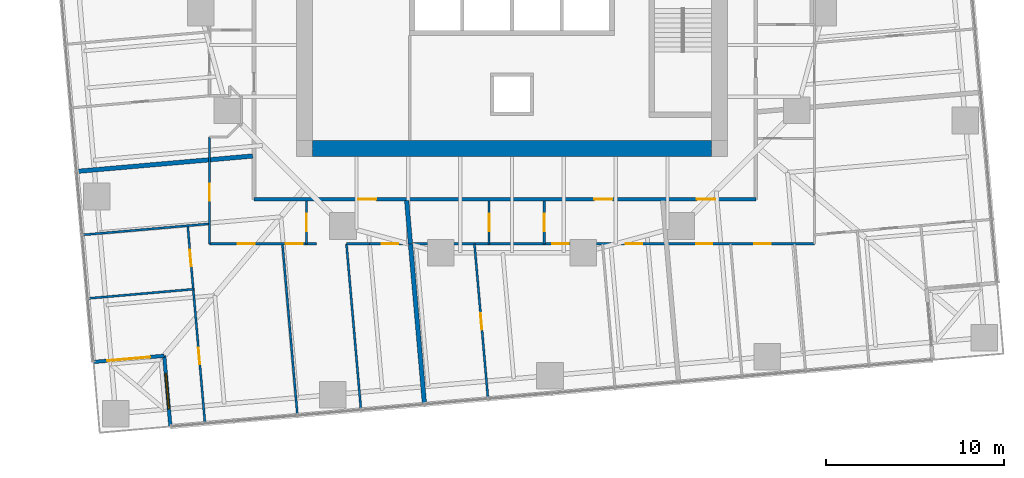
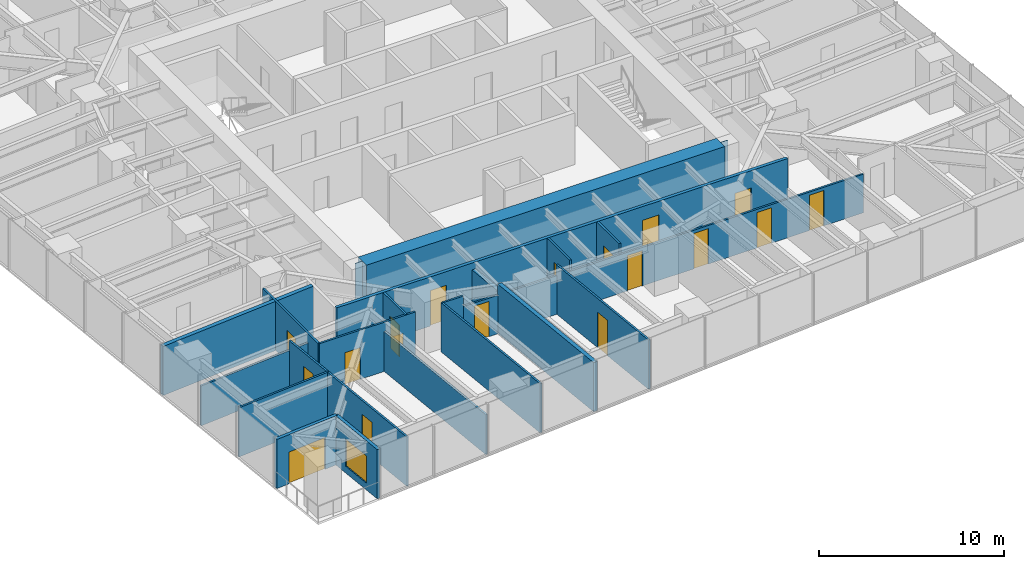
# One storey, part 8 of 14: 20 walls, 18 doors, 1 window, 19 openings.
"""IFC4 building model written with IfcOpenShell, lengths in metres."""

from ifc_helpers import new_model, si_unit, direction, frame, frame_2d, origin, place, context, subcontext, project, spatial, polyline, rectangle, outline, extrude, material, layer, layer_set, type_object, element, fill, save


model = new_model("IFC4")

# Units and contexts
model_context = context("Model", 3, precision=1e-05, world=origin(), true_north=direction((0.0, 1.0)))
body_context = subcontext(model_context, "Body", "Model", "MODEL_VIEW")
ifc_project = project(units=[si_unit("LENGTHUNIT", "METRE"), si_unit("AREAUNIT", "SQUARE_METRE"), si_unit("VOLUMEUNIT", "CUBIC_METRE"), si_unit("PLANEANGLEUNIT", "RADIAN"), si_unit("MASSUNIT", "GRAM", prefix="KILO")], contexts=[model_context])

# Site, building, storey
site_placement = place(None, origin())
site = spatial("IfcSite", under=ifc_project, at=site_placement, CompositionType="ELEMENT")
building_placement = place(site_placement, origin())
building = spatial("IfcBuilding", under=site, at=building_placement, Name="Torsade Residences", CompositionType="ELEMENT")
storey_placement = place(building_placement, frame((0.0, 0.0, 50.60009765625)))
storey = spatial("IfcBuildingStorey", under=building, at=storey_placement, Name="L13", CompositionType="ELEMENT", Elevation=50.60009765625)

# Wall
ifc_material_1 = material(Name="Concrete 80 MPa", Category="concrete")
ifc_layer_1 = layer(ifc_material_1, 0.89990234375)
ifc_layer_set_1 = layer_set([ifc_layer_1], Name="Concrete 80 MPa")
wall_type_1 = type_object("IfcWallType", Name="CORE WALL 900", PredefinedType="SHEAR", material=ifc_layer_set_1)
wall_1_placement = place(storey_placement, frame((51.199951171875, 18.35009765625, 0.0), z_axis=(0.0, 0.0, 1.0), x_axis=(-1.0, 0.0, 0.0)))
element("IfcWall", 1, at=wall_1_placement, inside=storey, type_object=wall_type_1, Name="Core wall S L13", PredefinedType="SHEAR", context=body_context, shape_type="SweptSolid", body=[
    extrude(outline(polyline([(0.0, -0.449951171875), (22.39990234375, -0.449951171875), (22.39990234375, -0.02490234375), (22.849853515625, -0.02490234375), (22.849853515625, 0.02490234375), (22.39990234375, 0.02490234375), (22.39990234375, 0.449951171875), (0.0, 0.449951171875), (0.0, 0.02490234375), (-0.449951171875, 0.02490234375), (-0.449951171875, -0.02490234375), (0.0, -0.02490234375), (0.0, -0.449951171875)])), origin(), (0.0, 0.0, 1.0), 3.39990234375),
])

# Wall, openings, doors
ifc_material_2 = material(Name="Plasterboard on steel stud", Category="steel")
ifc_layer_2 = layer(ifc_material_2, 0.199951171875)
ifc_layer_set_2 = layer_set([ifc_layer_2], Name="Plasterboard on steel stud")
wall_type_2 = type_object("IfcWallType", Name="CORRIDOR WALL 200", PredefinedType="PARTITIONING", material=ifc_layer_set_2)
wall_2_placement = place(storey_placement, frame((25.5, 15.5, 0.0), z_axis=(0.0, 0.0, 1.0), x_axis=(1.0, 0.0, 0.0)))
wall_2 = element("IfcWall", 2, at=wall_2_placement, inside=storey, type_object=wall_type_2, Name="Corridor wall L13", PredefinedType="PARTITIONING", context=body_context, shape_type="SweptSolid", body=[
    extrude(rectangle(XDim=28.199951171875, YDim=0.199951171875, at=frame_2d((14.10009765625, 0.0))), origin(), (0.0, 0.0, 1.0), 3.25),
])
opening_1_placement = place(wall_2_placement, frame((19.123046875, 0.0, 0.0)))
opening_1 = element("IfcOpeningElement", 3, at=opening_1_placement, cuts=wall_2, Name="Opening D01", PredefinedType="OPENING", context=body_context, shape_type="SweptSolid", body=[
    extrude(rectangle(XDim=1.02001953125, YDim=2.340087890625, at=frame_2d((0.510009765625, 1.169921875))), frame((0.0, 0.10986328125, 0.0), z_axis=(0.0, -1.0, 0.0), x_axis=(1.0, 0.0, 0.0)), (0.0, 0.0, 1.0), 0.219970703125),
])
opening_2_placement = place(wall_2_placement, frame((5.85009765625, 0.0, 0.0)))
opening_2 = element("IfcOpeningElement", 4, at=opening_2_placement, cuts=wall_2, Name="Opening D01", PredefinedType="OPENING", context=body_context, shape_type="SweptSolid", body=[
    extrude(rectangle(XDim=1.02001953125, YDim=2.340087890625, at=frame_2d((0.510009765625, 1.169921875))), frame((0.0, 0.10986328125, 0.0), z_axis=(0.0, -1.0, 0.0), x_axis=(1.0, 0.0, 0.0)), (0.0, 0.0, 1.0), 0.219970703125),
])
opening_3_placement = place(wall_2_placement, frame((24.891845703125, 0.0, 0.0)))
opening_3 = element("IfcOpeningElement", 5, at=opening_3_placement, cuts=wall_2, Name="Opening D01L", PredefinedType="OPENING", context=body_context, shape_type="SweptSolid", body=[
    extrude(rectangle(XDim=1.02001953125, YDim=2.10009765625, at=frame_2d((0.510009765625, 1.050048828125))), frame((0.0, 0.10986328125, 0.0), z_axis=(0.0, -1.0, 0.0), x_axis=(1.0, 0.0, 0.0)), (0.0, 0.0, 1.0), 0.219970703125),
])
ifc_material_3 = material(Name="Solid-core timber fire door", Category="wood")
door_type_1 = type_object("IfcDoorType", Name="APARTMENT ENTRY DOOR 1020x2100", OperationType="NOTDEFINED", PredefinedType="DOOR", material=ifc_material_3)
door_1_placement = place(opening_3_placement, origin())
door_1 = element("IfcDoor", 6, at=door_1_placement, inside=storey, type_object=door_type_1, Name="Door Residential corridor to Kitchen and dining", OperationType="SINGLE_SWING_RIGHT", OverallHeight=2.10009765625, OverallWidth=1.02001953125, PredefinedType="DOOR", context=body_context, shape_type="SweptSolid", body=[
    extrude(rectangle(XDim=1.02001953125, YDim=2.10009765625, at=frame_2d((0.510009765625, 1.050048828125))), frame((0.0, 0.02490234375, 0.0), z_axis=(0.0, -1.0, 0.0), x_axis=(1.0, 0.0, 0.0)), (0.0, 0.0, 1.0), 0.050048828125),
])
fill(opening_3, door_1)
ifc_material_4 = material(Name="Solid-core timber fire door", Category="wood")
door_type_2 = type_object("IfcDoorType", Name="APARTMENT ENTRY DOOR 1020x2340", OperationType="NOTDEFINED", PredefinedType="DOOR", material=ifc_material_4)
door_2_placement = place(opening_1_placement, origin())
door_2 = element("IfcDoor", 7, at=door_2_placement, inside=storey, type_object=door_type_2, Name="Door Residential corridor to Kitchen and dining", OperationType="SINGLE_SWING_RIGHT", OverallHeight=2.340087890625, OverallWidth=1.02001953125, PredefinedType="DOOR", context=body_context, shape_type="SweptSolid", body=[
    extrude(rectangle(XDim=1.02001953125, YDim=2.340087890625, at=frame_2d((0.510009765625, 1.169921875))), frame((0.0, 0.02490234375, 0.0), z_axis=(0.0, -1.0, 0.0), x_axis=(1.0, 0.0, 0.0)), (0.0, 0.0, 1.0), 0.050048828125),
])
fill(opening_1, door_2)
door_3_placement = place(opening_2_placement, origin())
door_3 = element("IfcDoor", 8, at=door_3_placement, inside=storey, type_object=door_type_2, Name="Door Residential corridor to Kitchen and dining", OperationType="SINGLE_SWING_RIGHT", OverallHeight=2.340087890625, OverallWidth=1.02001953125, PredefinedType="DOOR", context=body_context, shape_type="SweptSolid", body=[
    extrude(rectangle(XDim=1.02001953125, YDim=2.340087890625, at=frame_2d((0.510009765625, 1.169921875))), frame((0.0, 0.02490234375, 0.0), z_axis=(0.0, -1.0, 0.0), x_axis=(1.0, 0.0, 0.0)), (0.0, 0.0, 1.0), 0.050048828125),
])
fill(opening_2, door_3)

# Wall, opening, door
ifc_material_5 = material(Name="Plasterboard on steel stud", Category="steel")
ifc_layer_3 = layer(ifc_material_5, 0.1201171875)
ifc_layer_set_3 = layer_set([ifc_layer_3], Name="Plasterboard on steel stud")
wall_type_3 = type_object("IfcWallType", Name="PARTITION 120", PredefinedType="PARTITIONING", material=ifc_layer_set_3)
wall_3_placement = place(storey_placement, frame((23.0, 13.0, 0.0), z_axis=(0.0, 0.0, 1.0), x_axis=(0.0, 1.0, 0.0)))
wall_3 = element("IfcWall", 9, at=wall_3_placement, inside=storey, type_object=wall_type_3, Name="Partition L13", PredefinedType="PARTITIONING", context=body_context, shape_type="SweptSolid", body=[
    extrude(rectangle(XDim=6.0, YDim=0.1201171875, at=frame_2d((3.0, 0.0))), origin(), (0.0, 0.0, 1.0), 3.25),
])
opening_4_placement = place(wall_3_placement, frame((2.41796875, 0.0, 0.0)))
opening_4 = element("IfcOpeningElement", 10, at=opening_4_placement, cuts=wall_3, Name="Opening D05", PredefinedType="OPENING", context=body_context, shape_type="SweptSolid", body=[
    extrude(rectangle(XDim=0.9599609375, YDim=2.10009765625, at=frame_2d((0.47998046875, 1.050048828125))), frame((0.0, 0.070068359375, 0.0), z_axis=(0.0, -1.0, 0.0), x_axis=(1.0, 0.0, 0.0)), (0.0, 0.0, 1.0), 0.14013671875),
])
ifc_material_6 = material(Name="Hollow-core timber door in a steel cavity frame", Category="steel")
door_type_3 = type_object("IfcDoorType", Name="BATHROOM CAVITY SLIDING DOOR 960", OperationType="SLIDING_TO_LEFT", PredefinedType="DOOR", material=ifc_material_6)
door_4_placement = place(opening_4_placement, origin())
door_4 = element("IfcDoor", 11, at=door_4_placement, inside=storey, type_object=door_type_3, Name="Door Bathroom to Family room", OperationType="SLIDING_TO_LEFT", OverallHeight=2.10009765625, OverallWidth=0.9599609375, PredefinedType="DOOR", context=body_context, shape_type="SweptSolid", body=[
    extrude(rectangle(XDim=0.9599609375, YDim=2.10009765625, at=frame_2d((0.47998046875, 1.050048828125))), frame((0.0, 0.02490234375, 0.0), z_axis=(0.0, -1.0, 0.0), x_axis=(1.0, 0.0, 0.0)), (0.0, 0.0, 1.0), 0.050048828125),
])
fill(opening_4, door_4)

wall_4_placement = place(storey_placement, frame((28.45361328125, 13.0, 0.0), z_axis=(0.0, 0.0, 1.0), x_axis=(0.0, 1.0, 0.0)))
wall_4 = element("IfcWall", 12, at=wall_4_placement, inside=storey, type_object=wall_type_3, Name="Partition L13", PredefinedType="PARTITIONING", context=body_context, shape_type="SweptSolid", body=[
    extrude(rectangle(XDim=2.39990234375, YDim=0.1201171875, at=frame_2d((1.199951171875, 0.0))), origin(), (0.0, 0.0, 1.0), 3.25),
])
opening_5_placement = place(wall_4_placement, frame((0.719970703125, 0.0, 0.0)))
opening_5 = element("IfcOpeningElement", 13, at=opening_5_placement, cuts=wall_4, Name="Opening D05", PredefinedType="OPENING", context=body_context, shape_type="SweptSolid", body=[
    extrude(rectangle(XDim=0.9599609375, YDim=2.10009765625, at=frame_2d((0.47998046875, 1.050048828125))), frame((0.0, 0.070068359375, 0.0), z_axis=(0.0, -1.0, 0.0), x_axis=(1.0, 0.0, 0.0)), (0.0, 0.0, 1.0), 0.14013671875),
])
door_5_placement = place(opening_5_placement, origin())
door_5 = element("IfcDoor", 14, at=door_5_placement, inside=storey, type_object=door_type_3, Name="Door Kitchen and dining to Bathroom", OperationType="SLIDING_TO_LEFT", OverallHeight=2.10009765625, OverallWidth=0.9599609375, PredefinedType="DOOR", context=body_context, shape_type="SweptSolid", body=[
    extrude(rectangle(XDim=0.9599609375, YDim=2.10009765625, at=frame_2d((0.47998046875, 1.050048828125))), frame((0.0, 0.02490234375, 0.0), z_axis=(0.0, -1.0, 0.0), x_axis=(1.0, 0.0, 0.0)), (0.0, 0.0, 1.0), 0.050048828125),
])
fill(opening_5, door_5)

# Wall, openings, doors
wall_5_placement = place(storey_placement, frame((29.0, 13.0, 0.0), z_axis=(0.0, 0.0, 1.0), x_axis=(-1.0, 0.0, 0.0)))
wall_5 = element("IfcWall", 15, at=wall_5_placement, inside=storey, type_object=wall_type_3, Name="Partition L13", PredefinedType="PARTITIONING", context=body_context, shape_type="SweptSolid", body=[
    extrude(rectangle(XDim=6.0, YDim=0.1201171875, at=frame_2d((3.0, 0.0))), origin(), (0.0, 0.0, 1.0), 3.25),
])
opening_6_placement = place(wall_5_placement, frame((3.4453125, 0.0, 0.0)))
opening_6 = element("IfcOpeningElement", 16, at=opening_6_placement, cuts=wall_5, Name="Opening D05", PredefinedType="OPENING", context=body_context, shape_type="SweptSolid", body=[
    extrude(rectangle(XDim=0.9599609375, YDim=2.10009765625, at=frame_2d((0.47998046875, 1.050048828125))), frame((0.0, 0.070068359375, 0.0), z_axis=(0.0, -1.0, 0.0), x_axis=(1.0, 0.0, 0.0)), (0.0, 0.0, 1.0), 0.14013671875),
])
opening_7_placement = place(wall_5_placement, frame((0.768798828125, 0.0, 0.0)))
opening_7 = element("IfcOpeningElement", 17, at=opening_7_placement, cuts=wall_5, Name="Opening D05", PredefinedType="OPENING", context=body_context, shape_type="SweptSolid", body=[
    extrude(rectangle(XDim=0.9599609375, YDim=2.10009765625, at=frame_2d((0.47998046875, 1.050048828125))), frame((0.0, 0.070068359375, 0.0), z_axis=(0.0, -1.0, 0.0), x_axis=(1.0, 0.0, 0.0)), (0.0, 0.0, 1.0), 0.14013671875),
])
door_6_placement = place(opening_6_placement, origin())
door_6 = element("IfcDoor", 18, at=door_6_placement, inside=storey, type_object=door_type_3, Name="Door Bathroom to Living room", OperationType="SLIDING_TO_LEFT", OverallHeight=2.10009765625, OverallWidth=0.9599609375, PredefinedType="DOOR", context=body_context, shape_type="SweptSolid", body=[
    extrude(rectangle(XDim=0.9599609375, YDim=2.10009765625, at=frame_2d((0.47998046875, 1.050048828125))), frame((0.0, 0.02490234375, 0.0), z_axis=(0.0, -1.0, 0.0), x_axis=(1.0, 0.0, 0.0)), (0.0, 0.0, 1.0), 0.050048828125),
])
fill(opening_6, door_6)
door_7_placement = place(opening_7_placement, origin())
door_7 = element("IfcDoor", 19, at=door_7_placement, inside=storey, type_object=door_type_3, Name="Door Bathroom to Bedroom 1", OperationType="SLIDING_TO_LEFT", OverallHeight=2.10009765625, OverallWidth=0.9599609375, PredefinedType="DOOR", context=body_context, shape_type="SweptSolid", body=[
    extrude(rectangle(XDim=0.9599609375, YDim=2.10009765625, at=frame_2d((0.47998046875, 1.050048828125))), frame((0.0, 0.02490234375, 0.0), z_axis=(0.0, -1.0, 0.0), x_axis=(1.0, 0.0, 0.0)), (0.0, 0.0, 1.0), 0.050048828125),
])
fill(opening_7, door_7)

wall_6_placement = place(storey_placement, frame((57.0, 13.0, 0.0), z_axis=(0.0, 0.0, 1.0), x_axis=(-1.0, 0.0, 0.0)))
wall_6 = element("IfcWall", 20, at=wall_6_placement, inside=storey, type_object=wall_type_3, Name="Partition L13", PredefinedType="PARTITIONING", context=body_context, shape_type="SweptSolid", body=[
    extrude(rectangle(XDim=25.0, YDim=0.1201171875, at=frame_2d((12.5, 0.0))), origin(), (0.0, 0.0, 1.0), 2.5498046875),
])
opening_8_placement = place(wall_6_placement, frame((9.682373046875, 0.0, 0.0)))
opening_8 = element("IfcOpeningElement", 21, at=opening_8_placement, cuts=wall_6, Name="Opening D02", PredefinedType="OPENING", context=body_context, shape_type="SweptSolid", body=[
    extrude(rectangle(XDim=0.919921875, YDim=2.340087890625, at=frame_2d((0.4599609375, 1.169921875))), frame((0.0, 0.070068359375, 0.0), z_axis=(0.0, -1.0, 0.0), x_axis=(1.0, 0.0, 0.0)), (0.0, 0.0, 1.0), 0.14013671875),
])
opening_9_placement = place(wall_6_placement, frame((13.817138671875, 0.0, 0.0)))
opening_9 = element("IfcOpeningElement", 22, at=opening_9_placement, cuts=wall_6, Name="Opening D02", PredefinedType="OPENING", context=body_context, shape_type="SweptSolid", body=[
    extrude(rectangle(XDim=0.919921875, YDim=2.340087890625, at=frame_2d((0.4599609375, 1.169921875))), frame((0.0, 0.070068359375, 0.0), z_axis=(0.0, -1.0, 0.0), x_axis=(1.0, 0.0, 0.0)), (0.0, 0.0, 1.0), 0.14013671875),
])
opening_10_placement = place(wall_6_placement, frame((23.393310546875, 0.0, 0.0)))
opening_10 = element("IfcOpeningElement", 23, at=opening_10_placement, cuts=wall_6, Name="Opening D02", PredefinedType="OPENING", context=body_context, shape_type="SweptSolid", body=[
    extrude(rectangle(XDim=0.919921875, YDim=2.340087890625, at=frame_2d((0.4599609375, 1.169921875))), frame((0.0, 0.070068359375, 0.0), z_axis=(0.0, -1.0, 0.0), x_axis=(1.0, 0.0, 0.0)), (0.0, 0.0, 1.0), 0.14013671875),
])
opening_11_placement = place(wall_6_placement, frame((2.463134765625, 0.0, 0.0)))
opening_11 = element("IfcOpeningElement", 24, at=opening_11_placement, cuts=wall_6, Name="Opening D02", PredefinedType="OPENING", context=body_context, shape_type="SweptSolid", body=[
    extrude(rectangle(XDim=0.919921875, YDim=2.340087890625, at=frame_2d((0.4599609375, 1.169921875))), frame((0.0, 0.070068359375, 0.0), z_axis=(0.0, -1.0, 0.0), x_axis=(1.0, 0.0, 0.0)), (0.0, 0.0, 1.0), 0.14013671875),
])
opening_12_placement = place(wall_6_placement, frame((5.735107421875, 0.0, 0.0)))
opening_12 = element("IfcOpeningElement", 25, at=opening_12_placement, cuts=wall_6, Name="Opening D02", PredefinedType="OPENING", context=body_context, shape_type="SweptSolid", body=[
    extrude(rectangle(XDim=0.919921875, YDim=2.340087890625, at=frame_2d((0.4599609375, 1.169921875))), frame((0.0, 0.070068359375, 0.0), z_axis=(0.0, -1.0, 0.0), x_axis=(1.0, 0.0, 0.0)), (0.0, 0.0, 1.0), 0.14013671875),
])
ifc_material_7 = material(Name="Hollow-core timber door", Category="wood")
door_type_4 = type_object("IfcDoorType", Name="INTERNAL DOOR 920x2340", OperationType="NOTDEFINED", PredefinedType="DOOR", material=ifc_material_7)
door_8_placement = place(opening_8_placement, origin())
door_8 = element("IfcDoor", 26, at=door_8_placement, inside=storey, type_object=door_type_4, Name="Door Kitchen and dining to Bedroom 2", OperationType="SINGLE_SWING_LEFT", OverallHeight=2.340087890625, OverallWidth=0.919921875, PredefinedType="DOOR", context=body_context, shape_type="SweptSolid", body=[
    extrude(rectangle(XDim=0.919921875, YDim=2.340087890625, at=frame_2d((0.4599609375, 1.169921875))), frame((0.0, 0.02490234375, 0.0), z_axis=(0.0, -1.0, 0.0), x_axis=(1.0, 0.0, 0.0)), (0.0, 0.0, 1.0), 0.050048828125),
])
fill(opening_8, door_8)
door_9_placement = place(opening_9_placement, origin())
door_9 = element("IfcDoor", 27, at=door_9_placement, inside=storey, type_object=door_type_4, Name="Door Kitchen and dining to Living room", OperationType="SINGLE_SWING_LEFT", OverallHeight=2.340087890625, OverallWidth=0.919921875, PredefinedType="DOOR", context=body_context, shape_type="SweptSolid", body=[
    extrude(rectangle(XDim=0.919921875, YDim=2.340087890625, at=frame_2d((0.4599609375, 1.169921875))), frame((0.0, 0.02490234375, 0.0), z_axis=(0.0, -1.0, 0.0), x_axis=(1.0, 0.0, 0.0)), (0.0, 0.0, 1.0), 0.050048828125),
])
fill(opening_9, door_9)
door_10_placement = place(opening_10_placement, origin())
door_10 = element("IfcDoor", 28, at=door_10_placement, inside=storey, type_object=door_type_4, Name="Door Kitchen and dining to Bedroom 2", OperationType="SINGLE_SWING_LEFT", OverallHeight=2.340087890625, OverallWidth=0.919921875, PredefinedType="DOOR", context=body_context, shape_type="SweptSolid", body=[
    extrude(rectangle(XDim=0.919921875, YDim=2.340087890625, at=frame_2d((0.4599609375, 1.169921875))), frame((0.0, 0.02490234375, 0.0), z_axis=(0.0, -1.0, 0.0), x_axis=(1.0, 0.0, 0.0)), (0.0, 0.0, 1.0), 0.050048828125),
])
fill(opening_10, door_10)
door_11_placement = place(opening_11_placement, origin())
door_11 = element("IfcDoor", 29, at=door_11_placement, inside=storey, type_object=door_type_4, Name="Door Kitchen and dining to Family room", OperationType="SINGLE_SWING_RIGHT", OverallHeight=2.340087890625, OverallWidth=0.919921875, PredefinedType="DOOR", context=body_context, shape_type="SweptSolid", body=[
    extrude(rectangle(XDim=0.919921875, YDim=2.340087890625, at=frame_2d((0.4599609375, 1.169921875))), frame((0.0, 0.02490234375, 0.0), z_axis=(0.0, -1.0, 0.0), x_axis=(1.0, 0.0, 0.0)), (0.0, 0.0, 1.0), 0.050048828125),
])
fill(opening_11, door_11)
door_12_placement = place(opening_12_placement, origin())
door_12 = element("IfcDoor", 30, at=door_12_placement, inside=storey, type_object=door_type_4, Name="Door Kitchen and dining to Bedroom 1", OperationType="SINGLE_SWING_LEFT", OverallHeight=2.340087890625, OverallWidth=0.919921875, PredefinedType="DOOR", context=body_context, shape_type="SweptSolid", body=[
    extrude(rectangle(XDim=0.919921875, YDim=2.340087890625, at=frame_2d((0.4599609375, 1.169921875))), frame((0.0, 0.02490234375, 0.0), z_axis=(0.0, -1.0, 0.0), x_axis=(1.0, 0.0, 0.0)), (0.0, 0.0, 1.0), 0.050048828125),
])
fill(opening_12, door_12)

# Wall
wall_7_placement = place(storey_placement, frame((27.09912109375, 13.0, 0.0), z_axis=(0.0, 0.0, 1.0), x_axis=(0.087165694789, -0.996193827351, 0.0)))
element("IfcWall", 31, at=wall_7_placement, inside=storey, type_object=wall_type_3, Name="Partition L13", PredefinedType="PARTITIONING", context=body_context, shape_type="SweptSolid", body=[
    extrude(rectangle(XDim=9.64892578125, YDim=0.1201171875, at=frame_2d((4.824462890625, 0.0))), origin(), (0.0, 0.0, 1.0), 2.637939453125),
])

# Wall, openings, doors
wall_8_placement = place(storey_placement, frame((22.745361328125, 2.93310546875, 0.0), z_axis=(0.0, 0.0, 1.0), x_axis=(-0.087152252187, 0.99619500347, 0.0)))
wall_8 = element("IfcWall", 32, at=wall_8_placement, inside=storey, type_object=wall_type_3, Name="Partition L13", PredefinedType="PARTITIONING", context=body_context, shape_type="SweptSolid", body=[
    extrude(rectangle(XDim=11.126708984375, YDim=0.1201171875, at=frame_2d((5.5634765625, 0.0))), origin(), (0.0, 0.0, 1.0), 3.25),
])
opening_13_placement = place(wall_8_placement, frame((3.316650390625, 0.0, 0.0)))
opening_13 = element("IfcOpeningElement", 33, at=opening_13_placement, cuts=wall_8, Name="Opening D02", PredefinedType="OPENING", context=body_context, shape_type="SweptSolid", body=[
    extrude(rectangle(XDim=0.919921875, YDim=2.340087890625, at=frame_2d((0.4599609375, 1.169921875))), frame((0.0, 0.070068359375, 0.0), z_axis=(0.0, -1.0, 0.0), x_axis=(1.0, 0.0, 0.0)), (0.0, 0.0, 1.0), 0.14013671875),
])
opening_14_placement = place(wall_8_placement, frame((8.85009765625, 0.0, 0.0)))
opening_14 = element("IfcOpeningElement", 34, at=opening_14_placement, cuts=wall_8, Name="Opening D02", PredefinedType="OPENING", context=body_context, shape_type="SweptSolid", body=[
    extrude(rectangle(XDim=0.919921875, YDim=2.340087890625, at=frame_2d((0.4599609375, 1.169921875))), frame((0.0, 0.070068359375, 0.0), z_axis=(0.0, -1.0, 0.0), x_axis=(1.0, 0.0, 0.0)), (0.0, 0.0, 1.0), 0.14013671875),
])
door_13_placement = place(opening_13_placement, origin())
door_13 = element("IfcDoor", 35, at=door_13_placement, inside=storey, type_object=door_type_4, Name="Door Living room to Study", OperationType="SINGLE_SWING_LEFT", OverallHeight=2.340087890625, OverallWidth=0.919921875, PredefinedType="DOOR", context=body_context, shape_type="SweptSolid", body=[
    extrude(rectangle(XDim=0.919921875, YDim=2.340087890625, at=frame_2d((0.4599609375, 1.169921875))), frame((0.0, 0.02490234375, 0.0), z_axis=(0.0, -1.0, 0.0), x_axis=(1.0, 0.0, 0.0)), (0.0, 0.0, 1.0), 0.050048828125),
])
fill(opening_13, door_13)
door_14_placement = place(opening_14_placement, origin())
door_14 = element("IfcDoor", 36, at=door_14_placement, inside=storey, type_object=door_type_4, Name="Door Living room to Media room", OperationType="SINGLE_SWING_RIGHT", OverallHeight=2.340087890625, OverallWidth=0.919921875, PredefinedType="DOOR", context=body_context, shape_type="SweptSolid", body=[
    extrude(rectangle(XDim=0.919921875, YDim=2.340087890625, at=frame_2d((0.4599609375, 1.169921875))), frame((0.0, 0.02490234375, 0.0), z_axis=(0.0, -1.0, 0.0), x_axis=(1.0, 0.0, 0.0)), (0.0, 0.0, 1.0), 0.050048828125),
])
fill(opening_14, door_14)

# Walls
wall_9_placement = place(storey_placement, frame((15.88623046875, 13.502197265625, 0.0), z_axis=(0.0, 0.0, 1.0), x_axis=(0.996195424363, 0.087147441029, 0.0)))
element("IfcWall", 37, at=wall_9_placement, inside=storey, type_object=wall_type_3, Name="Partition L13", PredefinedType="PARTITIONING", context=body_context, shape_type="SweptSolid", body=[
    extrude(rectangle(XDim=7.140869140625, YDim=0.1201171875, at=frame_2d((3.5703125, 0.0))), origin(), (0.0, 0.0, 1.0), 2.637939453125),
])
wall_10_placement = place(storey_placement, frame((30.6962890625, 13.0, 0.0), z_axis=(0.0, 0.0, 1.0), x_axis=(0.087163381753, -0.996194029736, 0.0)))
element("IfcWall", 38, at=wall_10_placement, inside=storey, type_object=wall_type_3, Name="Partition L13", PredefinedType="PARTITIONING", context=body_context, shape_type="SweptSolid", body=[
    extrude(rectangle(XDim=9.335693359375, YDim=0.1201171875, at=frame_2d((4.66796875, 0.0))), origin(), (0.0, 0.0, 1.0), 3.25),
])
wall_11_placement = place(storey_placement, frame((16.198486328125, 9.9326171875, 0.0), z_axis=(0.0, 0.0, 1.0), x_axis=(0.996196451325, 0.087135700879, 0.0)))
element("IfcWall", 39, at=wall_11_placement, inside=storey, type_object=wall_type_3, Name="Partition L13", PredefinedType="PARTITIONING", context=body_context, shape_type="SweptSolid", body=[
    extrude(rectangle(XDim=5.911865234375, YDim=0.1201171875, at=frame_2d((2.9560546875, 0.0))), origin(), (0.0, 0.0, 1.0), 3.25),
])

# Wall, opening, door
wall_12_placement = place(storey_placement, frame((41.811279296875, 13.0, 0.0), z_axis=(0.0, 0.0, 1.0), x_axis=(0.0, 1.0, 0.0)))
wall_12 = element("IfcWall", 40, at=wall_12_placement, inside=storey, type_object=wall_type_3, Name="Partition L13", PredefinedType="PARTITIONING", context=body_context, shape_type="SweptSolid", body=[
    extrude(rectangle(XDim=2.39990234375, YDim=0.1201171875, at=frame_2d((1.199951171875, 0.0))), origin(), (0.0, 0.0, 1.0), 3.25),
])
opening_15_placement = place(wall_12_placement, frame((0.719970703125, 0.0, 0.0)))
opening_15 = element("IfcOpeningElement", 41, at=opening_15_placement, cuts=wall_12, Name="Opening D05", PredefinedType="OPENING", context=body_context, shape_type="SweptSolid", body=[
    extrude(rectangle(XDim=0.9599609375, YDim=2.10009765625, at=frame_2d((0.47998046875, 1.050048828125))), frame((0.0, 0.070068359375, 0.0), z_axis=(0.0, -1.0, 0.0), x_axis=(1.0, 0.0, 0.0)), (0.0, 0.0, 1.0), 0.14013671875),
])
door_15_placement = place(opening_15_placement, origin())
door_15 = element("IfcDoor", 42, at=door_15_placement, inside=storey, type_object=door_type_3, Name="Door Kitchen and dining to Ensuite", OperationType="SLIDING_TO_LEFT", OverallHeight=2.10009765625, OverallWidth=0.9599609375, PredefinedType="DOOR", context=body_context, shape_type="SweptSolid", body=[
    extrude(rectangle(XDim=0.9599609375, YDim=2.10009765625, at=frame_2d((0.47998046875, 1.050048828125))), frame((0.0, 0.02490234375, 0.0), z_axis=(0.0, -1.0, 0.0), x_axis=(1.0, 0.0, 0.0)), (0.0, 0.0, 1.0), 0.050048828125),
])
fill(opening_15, door_15)

wall_13_placement = place(storey_placement, frame((38.71435546875, 15.39990234375, 0.0), z_axis=(0.0, 0.0, 1.0), x_axis=(0.0, -1.0, 0.0)))
wall_13 = element("IfcWall", 43, at=wall_13_placement, inside=storey, type_object=wall_type_3, Name="Partition L13", PredefinedType="PARTITIONING", context=body_context, shape_type="SweptSolid", body=[
    extrude(rectangle(XDim=2.39990234375, YDim=0.1201171875, at=frame_2d((1.199951171875, 0.0))), origin(), (0.0, 0.0, 1.0), 3.25),
])
opening_16_placement = place(wall_13_placement, frame((0.719970703125, 0.0, 0.0)))
opening_16 = element("IfcOpeningElement", 44, at=opening_16_placement, cuts=wall_13, Name="Opening D05", PredefinedType="OPENING", context=body_context, shape_type="SweptSolid", body=[
    extrude(rectangle(XDim=0.9599609375, YDim=2.10009765625, at=frame_2d((0.47998046875, 1.050048828125))), frame((0.0, 0.070068359375, 0.0), z_axis=(0.0, -1.0, 0.0), x_axis=(1.0, 0.0, 0.0)), (0.0, 0.0, 1.0), 0.14013671875),
])
door_16_placement = place(opening_16_placement, origin())
door_16 = element("IfcDoor", 45, at=door_16_placement, inside=storey, type_object=door_type_3, Name="Door Ensuite to Bathroom", OperationType="SLIDING_TO_LEFT", OverallHeight=2.10009765625, OverallWidth=0.9599609375, PredefinedType="DOOR", context=body_context, shape_type="SweptSolid", body=[
    extrude(rectangle(XDim=0.9599609375, YDim=2.10009765625, at=frame_2d((0.47998046875, 1.050048828125))), frame((0.0, 0.02490234375, 0.0), z_axis=(0.0, -1.0, 0.0), x_axis=(1.0, 0.0, 0.0)), (0.0, 0.0, 1.0), 0.050048828125),
])
fill(opening_16, door_16)

wall_14_placement = place(storey_placement, frame((38.6494140625, 4.324462890625, 0.0), z_axis=(0.0, 0.0, 1.0), x_axis=(-0.087158256162, 0.996194478193, 0.0)))
wall_14 = element("IfcWall", 46, at=wall_14_placement, inside=storey, type_object=wall_type_3, Name="Partition L13", PredefinedType="PARTITIONING", context=body_context, shape_type="SweptSolid", body=[
    extrude(rectangle(XDim=8.708740234375, YDim=0.1201171875, at=frame_2d((4.3544921875, 0.0))), origin(), (0.0, 0.0, 1.0), 3.25),
])
opening_17_placement = place(wall_14_placement, frame((3.874267578125, 0.0, 0.0)))
opening_17 = element("IfcOpeningElement", 47, at=opening_17_placement, cuts=wall_14, Name="Opening D02", PredefinedType="OPENING", context=body_context, shape_type="SweptSolid", body=[
    extrude(rectangle(XDim=0.919921875, YDim=2.340087890625, at=frame_2d((0.4599609375, 1.169921875))), frame((0.0, 0.070068359375, 0.0), z_axis=(0.0, -1.0, 0.0), x_axis=(1.0, 0.0, 0.0)), (0.0, 0.0, 1.0), 0.14013671875),
])
door_17_placement = place(opening_17_placement, origin())
door_17 = element("IfcDoor", 48, at=door_17_placement, inside=storey, type_object=door_type_4, Name="Door Living room to Bedroom 1", OperationType="SINGLE_SWING_RIGHT", OverallHeight=2.340087890625, OverallWidth=0.919921875, PredefinedType="DOOR", context=body_context, shape_type="SweptSolid", body=[
    extrude(rectangle(XDim=0.919921875, YDim=2.340087890625, at=frame_2d((0.4599609375, 1.169921875))), frame((0.0, 0.02490234375, 0.0), z_axis=(0.0, -1.0, 0.0), x_axis=(1.0, 0.0, 0.0)), (0.0, 0.0, 1.0), 0.050048828125),
])
fill(opening_17, door_17)

# Walls
wall_15_placement = place(storey_placement, frame((32.0, 13.0, 0.0), z_axis=(0.0, 0.0, 1.0), x_axis=(-1.0, 0.0, 0.0)))
element("IfcWall", 49, at=wall_15_placement, inside=storey, type_object=wall_type_3, Name="Partition L13", PredefinedType="PARTITIONING", context=body_context, shape_type="SweptSolid", body=[
    extrude(rectangle(XDim=1.3037109375, YDim=0.1201171875, at=frame_2d((0.65185546875, 0.0))), origin(), (0.0, 0.0, 1.0), 3.25),
])
ifc_material_8 = material(Name="Masonry-lined stud party wall", Category="masonry")
ifc_layer_4 = layer(ifc_material_8, 0.25)
ifc_layer_set_4 = layer_set([ifc_layer_4], Name="Masonry-lined stud party wall")
wall_type_4 = type_object("IfcWallType", Name="PARTY WALL 250", PredefinedType="PARTITIONING", material=ifc_layer_set_4)
wall_16_placement = place(storey_placement, frame((35.0830078125, 3.972412109375, 0.0), z_axis=(0.0, 0.0, 1.0), x_axis=(-0.087156255496, 0.996194653232, 0.0)))
element("IfcWall", 50, at=wall_16_placement, inside=storey, type_object=wall_type_4, Name="Party wall L13", PredefinedType="PARTITIONING", context=body_context, shape_type="SweptSolid", body=[
    extrude(rectangle(XDim=9.061767578125, YDim=0.25, at=frame_2d((4.53076171875, 0.0))), origin(), (0.0, 0.0, 1.0), 3.25),
])
wall_17_placement = place(storey_placement, frame((34.293212890625, 12.999755859375, 0.0), z_axis=(0.0, 0.0, 1.0), x_axis=(-0.08710485024, 0.996199149299, 0.0)))
element("IfcWall", 51, at=wall_17_placement, inside=storey, type_object=wall_type_4, Name="Party wall L13", PredefinedType="PARTITIONING", context=body_context, shape_type="SweptSolid", body=[
    extrude(rectangle(XDim=2.4384765625, YDim=0.25, at=frame_2d((1.21923828125, 0.0))), origin(), (0.0, 0.0, 1.0), 2.7958984375),
])
wall_18_placement = place(storey_placement, frame((15.533935546875, 17.068359375, 0.0), z_axis=(0.0, 0.0, 1.0), x_axis=(0.996194517831, 0.087157803114, 0.0)))
element("IfcWall", 52, at=wall_18_placement, inside=storey, type_object=wall_type_4, Name="Party wall L13", PredefinedType="PARTITIONING", context=body_context, shape_type="SweptSolid", body=[
    extrude(rectangle(XDim=9.932861328125, YDim=0.25, at=frame_2d((4.96630859375, 0.0))), origin(), (0.0, 0.0, 1.0), 3.25),
])

# Wall, opening, door
ifc_material_9 = material(Name="Stone-faced precast concrete 40 MPa panel", Category="masonry")
ifc_layer_5 = layer(ifc_material_9, 0.199951171875)
ifc_layer_set_5 = layer_set([ifc_layer_5], Name="Stone-faced precast concrete 40 MPa panel")
wall_type_5 = type_object("IfcWallType", Name="TERRACE WALL 200", PredefinedType="SOLIDWALL", material=ifc_layer_set_5)
wall_19_placement = place(storey_placement, frame((16.470947265625, 6.359375, 0.0), z_axis=(0.0, 0.0, 1.0), x_axis=(0.99619418125, 0.087161650072, 0.0)))
wall_19 = element("IfcWall", 53, at=wall_19_placement, inside=storey, type_object=wall_type_5, Name="Terrace wall L13 11", PredefinedType="SOLIDWALL", context=body_context, shape_type="SweptSolid", body=[
    extrude(rectangle(XDim=3.999755859375, YDim=0.199951171875, at=frame_2d((2.0, 0.0))), origin(), (0.0, 0.0, 1.0), 3.25),
])
opening_18_placement = place(wall_19_placement, frame((0.800048828125, 0.0, 0.0)))
opening_18 = element("IfcOpeningElement", 54, at=opening_18_placement, cuts=wall_19, Name="Opening D10A", PredefinedType="OPENING", context=body_context, shape_type="SweptSolid", body=[
    extrude(rectangle(XDim=2.39990234375, YDim=2.10009765625, at=frame_2d((1.199951171875, 1.050048828125))), frame((0.0, 0.10986328125, 0.0), z_axis=(0.0, -1.0, 0.0), x_axis=(1.0, 0.0, 0.0)), (0.0, 0.0, 1.0), 0.219970703125),
])
ifc_material_10 = material(Name="Aluminium-framed glass door", Category="aluminium")
door_type_5 = type_object("IfcDoorType", Name="TERRACE SLIDING DOOR 2400x2100", OperationType="SLIDING_TO_LEFT", PredefinedType="DOOR", material=ifc_material_10)
door_18_placement = place(opening_18_placement, origin())
door_18 = element("IfcDoor", 55, at=door_18_placement, inside=storey, type_object=door_type_5, Name="Terrace door L13 11", OperationType="SLIDING_TO_LEFT", OverallHeight=2.10009765625, OverallWidth=2.39990234375, PredefinedType="DOOR", context=body_context, shape_type="SweptSolid", body=[
    extrude(rectangle(XDim=2.39990234375, YDim=2.10009765625, at=frame_2d((1.199951171875, 1.050048828125))), frame((0.0, 0.02490234375, 0.0), z_axis=(0.0, -1.0, 0.0), x_axis=(1.0, 0.0, 0.0)), (0.0, 0.0, 1.0), 0.050048828125),
])
fill(opening_18, door_18)

# Wall, opening, window
wall_20_placement = place(storey_placement, frame((20.45556640625, 6.7080078125, 0.0), z_axis=(0.0, 0.0, 1.0), x_axis=(0.087156350505, -0.99619464492, 0.0)))
wall_20 = element("IfcWall", 56, at=wall_20_placement, inside=storey, type_object=wall_type_5, Name="Terrace wall L13 12", PredefinedType="SOLIDWALL", context=body_context, shape_type="SweptSolid", body=[
    extrude(rectangle(XDim=4.0, YDim=0.199951171875, at=frame_2d((2.0, 0.0))), origin(), (0.0, 0.0, 1.0), 3.25),
])
opening_19_placement = place(wall_20_placement, frame((1.0, 0.0, 0.449951171875)))
opening_19 = element("IfcOpeningElement", 57, at=opening_19_placement, cuts=wall_20, Name="Opening W1B", PredefinedType="OPENING", context=body_context, shape_type="SweptSolid", body=[
    extrude(rectangle(XDim=2.0, YDim=1.800048828125, at=frame_2d((1.0, 0.89990234375))), frame((0.0, 0.10986328125, 0.0), z_axis=(0.0, -1.0, 0.0), x_axis=(1.0, 0.0, 0.0)), (0.0, 0.0, 1.0), 0.219970703125),
])
ifc_material_11 = material(Name="Aluminium-framed glass window", Category="aluminium")
window_type = type_object("IfcWindowType", Name="TERRACE WINDOW 2000x1800", PartitioningType="SINGLE_PANEL", PredefinedType="WINDOW", material=ifc_material_11)
window_placement = place(opening_19_placement, origin())
window = element("IfcWindow", 58, at=window_placement, inside=storey, type_object=window_type, Name="Terrace window L13 12", OverallHeight=1.800048828125, OverallWidth=2.0, PartitioningType="SINGLE_PANEL", PredefinedType="WINDOW", context=body_context, shape_type="SweptSolid", body=[
    extrude(rectangle(XDim=2.0, YDim=1.800048828125, at=frame_2d((1.0, 0.89990234375))), frame((0.0, 0.030029296875, 0.0), z_axis=(0.0, -1.0, 0.0), x_axis=(1.0, 0.0, 0.0)), (0.0, 0.0, 1.0), 0.06005859375),
])
fill(opening_19, window)

save(model, "model.ifc")
